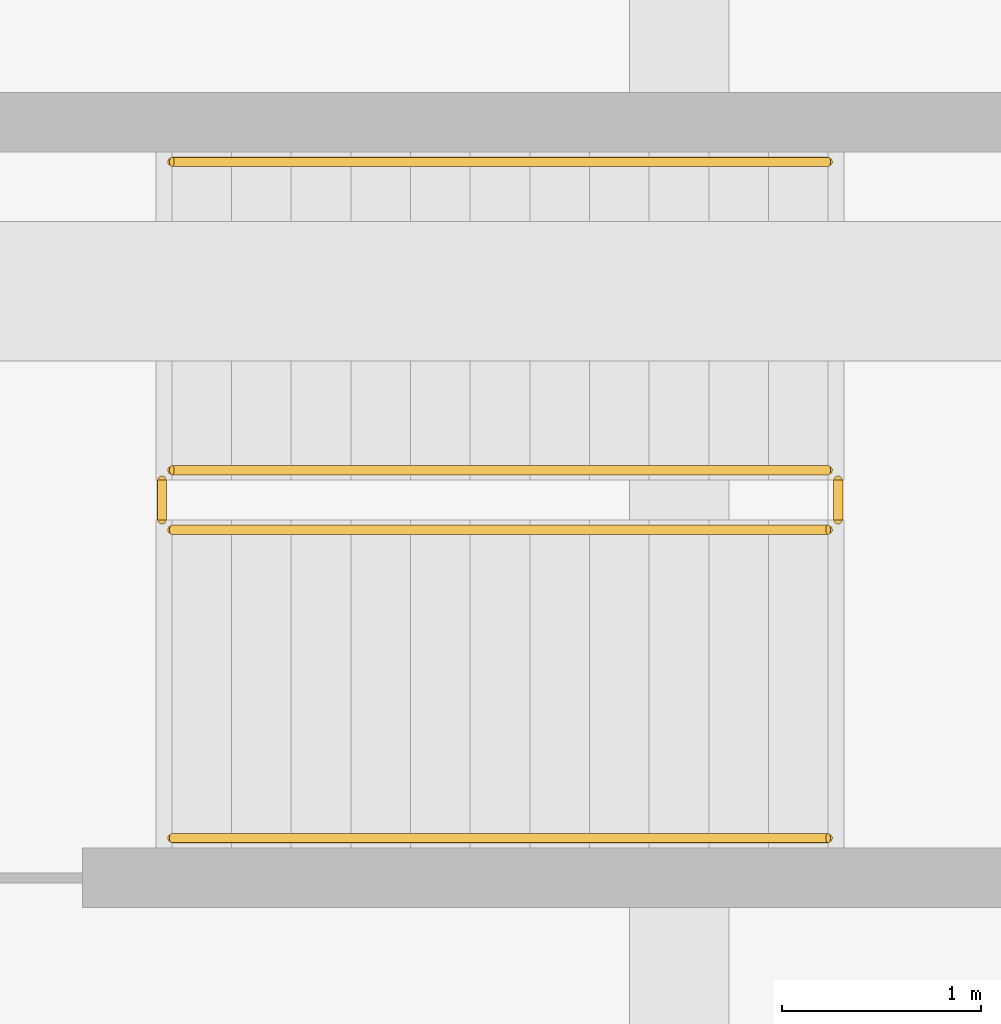
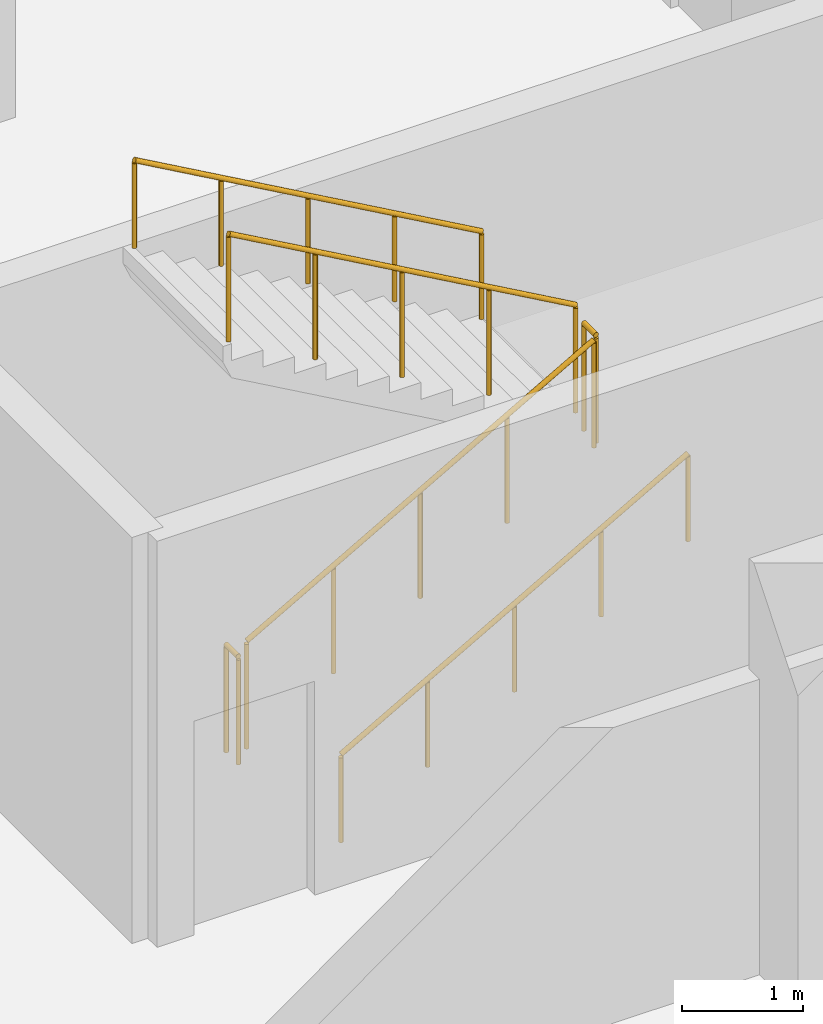
# One storey, part 10 of 11: 6 railings.
"""IFC4 building model written with IfcOpenShell, lengths in metres."""

import ifcopenshell
import ifcopenshell.guid

model = None  # the IFC model being written
_history = None  # IfcOwnerHistory: only IFC2X3 demands one
_inside = {}  # id of a spatial element -> (the spatial element, [elements in it])
_under = {}  # id of a project, library or spatial element -> (it, [spatial elements below it])
_declared = {}  # id of a project -> (the project, [libraries it declares])
_typed = {}  # id of a type object -> (the type object, [elements of that type])
_made_of = {}  # id of a material, layer set ... -> (it, [elements and type objects made of it])


def new_model(schema):
    """Start an empty IFC model of exactly this schema.

    Asked for "IFC4X3", IfcOpenShell would pick the latest addendum, in which some entities
    have other attributes; the version numbers below select the first issue.
    IFC2X3 requires an IfcOwnerHistory on every rooted entity: one is made here for all.
    """
    global model, _history
    if schema == "IFC4X3":
        model = ifcopenshell.file(schema_version=(4, 3, 0, 0))
    else:
        model = ifcopenshell.file(schema=schema)
    _inside.clear()
    _under.clear()
    _declared.clear()
    _typed.clear()
    _made_of.clear()
    _history = None
    if model.schema == "IFC2X3":
        org = make("IfcOrganization", Name="unknown")
        user = make(
            "IfcPersonAndOrganization",
            ThePerson=make("IfcPerson", FamilyName="unknown"),
            TheOrganization=org,
        )
        app = make(
            "IfcApplication",
            ApplicationDeveloper=org,
            Version="unknown",
            ApplicationFullName="unknown",
            ApplicationIdentifier="unknown",
        )
        _history = make(
            "IfcOwnerHistory",
            OwningUser=user,
            OwningApplication=app,
            ChangeAction="ADDED",
            CreationDate=0,
        )
    return model


def make(cls, **values):
    """One entity of the class cls with the attributes given. An attribute that is None is left unset."""
    return model.create_entity(
        cls, **{name: value for name, value in values.items() if value is not None}
    )


def rooted(cls, **values):
    """An entity with a GlobalId (a new one), such as an element, a storey or a relation."""
    return make(cls, GlobalId=ifcopenshell.guid.new(), OwnerHistory=_history, **values)


def si_unit(unit_type, name, prefix=None):
    """IfcSIUnit, for example si_unit("LENGTHUNIT", "METRE", prefix="MILLI")."""
    return make("IfcSIUnit", UnitType=unit_type, Prefix=prefix, Name=name)


def assignment(units):
    """IfcUnitAssignment: the units of a project."""
    return None if units is None else make("IfcUnitAssignment", Units=units)


def point(xyz):
    """IfcCartesianPoint."""
    return None if xyz is None else make("IfcCartesianPoint", Coordinates=xyz)


def direction(xyz):
    """IfcDirection."""
    return None if xyz is None else make("IfcDirection", DirectionRatios=xyz)


def frame(location, z_axis=None, x_axis=None):
    """IfcAxis2Placement3D, a coordinate frame: its origin and axes. An axis left out is left unset."""
    return make(
        "IfcAxis2Placement3D",
        Location=point(location),
        Axis=direction(z_axis),
        RefDirection=direction(x_axis),
    )


def frame_2d(location, x_axis=None):
    """IfcAxis2Placement2D, a coordinate frame in the plane: its origin and x axis."""
    return make(
        "IfcAxis2Placement2D", Location=point(location), RefDirection=direction(x_axis)
    )


def origin():
    """The frame at (0, 0, 0) with its axes left unset."""
    return frame((0.0, 0.0, 0.0))


def origin_2d():
    """The frame at (0, 0) in the plane with its x axis left unset."""
    return frame_2d((0.0, 0.0))


def place(relative_to, where):
    """IfcLocalPlacement: puts the frame where relative to a parent placement (None: the world)."""
    return make(
        "IfcLocalPlacement", PlacementRelTo=relative_to, RelativePlacement=where
    )


def context(
    kind, dimensions, precision=None, world=None, true_north=None, identifier=None
):
    """IfcGeometricRepresentationContext, for example the 3D "Model" context."""
    return make(
        "IfcGeometricRepresentationContext",
        ContextIdentifier=identifier,
        ContextType=kind,
        CoordinateSpaceDimension=dimensions,
        Precision=precision,
        WorldCoordinateSystem=world,
        TrueNorth=true_north,
    )


def subcontext(parent, identifier, kind, view, scale=None):
    """IfcGeometricRepresentationSubContext, for example "Body" below "Model"."""
    return make(
        "IfcGeometricRepresentationSubContext",
        ContextIdentifier=identifier,
        ContextType=kind,
        ParentContext=parent,
        TargetScale=scale,
        TargetView=view,
    )


def project(units=None, contexts=None):
    """IfcProject with its units and contexts."""
    return rooted(
        "IfcProject",
        Name="project",
        RepresentationContexts=contexts,
        UnitsInContext=assignment(units),
    )


def spatial(cls, under=None, at=None, **own):
    """A site, building, storey or space (cls), placed at a placement, below another one or the project."""
    s = rooted(cls, ObjectPlacement=at, **own)
    if under is not None:
        _under.setdefault(under.id(), (under, []))[1].append(s)
    return s


def profile(cls, at=None, kind="AREA", **sizes):
    """A parametric profile (cls). Its sizes go by their IFC names, for example OverallWidth=200.0."""
    return make(cls, ProfileType=kind, Position=at, **sizes)


def circle(**sizes):
    """IfcCircleProfileDef."""
    return profile("IfcCircleProfileDef", **sizes)


def extrude(swept, where, along, depth):
    """IfcExtrudedAreaSolid: the profile swept, set in the frame where, extruded along a direction by depth."""
    return make(
        "IfcExtrudedAreaSolid",
        SweptArea=swept,
        Position=where,
        ExtrudedDirection=direction(along),
        Depth=depth,
    )


def shape(context_of_items, identifier, shape_type, items):
    """IfcShapeRepresentation: the items that make up one representation, for example the "Body"."""
    return make(
        "IfcShapeRepresentation",
        ContextOfItems=context_of_items,
        RepresentationIdentifier=identifier,
        RepresentationType=shape_type,
        Items=items,
    )


def material(Name=None, Category=None):
    """IfcMaterial."""
    return make("IfcMaterial", Name=Name, Category=Category)


def made_of(thing, what):
    """Note that an element or type object is made of a material, layer set ...; save() writes the relation."""
    if what is not None:
        _made_of.setdefault(what.id(), (what, []))[1].append(thing)
    return thing


def type_object(cls, material=None, **own):
    """A type object (cls), such as IfcWallType, which elements share."""
    return made_of(rooted(cls, **own), material)


def element(
    cls,
    number,
    at=None,
    inside=None,
    cuts=None,
    type_object=None,
    material=None,
    context=None,
    identifier="Body",
    shape_type=None,
    held_by="IfcProductDefinitionShape",
    body=None,
    shapes=None,
    **own,
):
    """One element of the class cls, such as IfcWall. Its Tag is "e" and its number.

    at: its placement. inside: the storey or other place that contains it. cuts: it is an
    opening in that element (IfcRelVoidsElement). A single representation is given by context,
    identifier, shape_type and body (its items); several are given by shapes. held_by: the class
    of the entity that holds the representations. save() writes the other relations.
    """
    e = rooted(cls, Tag="e%d" % number, ObjectPlacement=at, **own)
    if body is not None:
        shapes = [shape(context, identifier, shape_type, body)]
    if shapes is not None:
        e.Representation = make(held_by, Representations=shapes)
    if inside is not None:
        _inside.setdefault(inside.id(), (inside, []))[1].append(e)
    if cuts is not None:
        rooted(
            "IfcRelVoidsElement", RelatingBuildingElement=cuts, RelatedOpeningElement=e
        )
    if type_object is not None:
        _typed.setdefault(type_object.id(), (type_object, []))[1].append(e)
    return made_of(e, material)


def aggregate(whole, parts):
    """IfcRelAggregates: a whole, such as a stair, and the parts it consists of."""
    return rooted("IfcRelAggregates", RelatingObject=whole, RelatedObjects=parts)


def save(model, path):
    """Write the relations noted so far, then the file.

    IfcRelAggregates (storeys below a building ...), IfcRelContainedInSpatialStructure (elements
    in a storey), IfcRelDefinesByType, IfcRelAssociatesMaterial and IfcRelDeclares: one each for
    every whole, place, type object, material and project.
    """
    for whole, parts in _under.values():
        aggregate(whole, parts)
    for where, things in _inside.values():
        rooted(
            "IfcRelContainedInSpatialStructure",
            RelatedElements=things,
            RelatingStructure=where,
        )
    for kind, things in _typed.values():
        rooted("IfcRelDefinesByType", RelatedObjects=things, RelatingType=kind)
    for what, things in _made_of.values():
        rooted("IfcRelAssociatesMaterial", RelatedObjects=things, RelatingMaterial=what)
    for by, libraries in _declared.values():
        rooted("IfcRelDeclares", RelatingContext=by, RelatedDefinitions=libraries)
    model.write(path)


model = new_model("IFC4")

# Units and contexts
model_context = context("Model", 3, precision=1e-05, world=origin(), true_north=direction((0.0, 1.0)))
body_context = subcontext(model_context, "Body", "Model", "MODEL_VIEW")
ifc_project = project(units=[si_unit("LENGTHUNIT", "METRE"), si_unit("AREAUNIT", "SQUARE_METRE"), si_unit("VOLUMEUNIT", "CUBIC_METRE"), si_unit("PLANEANGLEUNIT", "RADIAN"), si_unit("MASSUNIT", "GRAM", prefix="KILO")], contexts=[model_context])

# Site, building, storey
site_placement = place(None, origin())
site = spatial("IfcSite", under=ifc_project, at=site_placement, CompositionType="ELEMENT")
building_placement = place(site_placement, origin())
building = spatial("IfcBuilding", under=site, at=building_placement, Name="Dunvalen Ferry Terminal", CompositionType="ELEMENT")
storey_placement = place(building_placement, frame((0.0, 0.0, -4.080078125)))
storey = spatial("IfcBuildingStorey", under=building, at=storey_placement, Name="B1", CompositionType="ELEMENT", Elevation=-4.080078125)

# Railings
ifc_material_1 = material(Name="Painted galvanised steel S275", Category="steel")
railing_type_1 = type_object("IfcRailingType", Name="INT-RL-STGRD", PredefinedType="GUARDRAIL", material=ifc_material_1)
railing_1_placement = place(storey_placement, frame((63.449951171875, 19.35009765625, 0.170166015625)))
element("IfcRailing", 1, at=railing_1_placement, inside=storey, type_object=railing_type_1, Name="B1 ST3 stair guard 1", PredefinedType="GUARDRAIL", context=body_context, shape_type="SweptSolid", body=[
    extrude(circle(Radius=0.02392578125, at=origin_2d()), frame((0.0, 0.0, 1.076171875), z_axis=(0.870039670856, 0.0, 0.49298171481), x_axis=(0.0, 1.0, 0.0)), (0.0, 0.0, 1.0), 3.79296875),
    extrude(circle(Radius=0.02099609375, at=origin_2d()), origin(), (0.0, 0.0, 1.0), 1.052001953125),
    extrude(circle(Radius=0.02099609375, at=origin_2d()), frame((0.824951171875, 0.0, 0.467529296875)), (0.0, 0.0, 1.0), 1.052001953125),
    extrude(circle(Radius=0.02099609375, at=origin_2d()), frame((1.64990234375, 0.0, 0.93505859375)), (0.0, 0.0, 1.0), 1.052001953125),
    extrude(circle(Radius=0.02099609375, at=origin_2d()), frame((2.47509765625, 0.0, 1.40234375)), (0.0, 0.0, 1.0), 1.052001953125),
    extrude(circle(Radius=0.02099609375, at=origin_2d()), frame((3.300048828125, 0.0, 1.869873046875)), (0.0, 0.0, 1.0), 1.052001953125),
])
railing_2_placement = place(storey_placement, frame((66.800048828125, 19.39990234375, 2.0400390625)))
element("IfcRailing", 2, at=railing_2_placement, inside=storey, type_object=railing_type_1, Name="B1 ST3 stair guard 2", PredefinedType="GUARDRAIL", context=body_context, shape_type="SweptSolid", body=[
    extrude(circle(Radius=0.02392578125, at=origin_2d()), frame((0.0, 0.0, 1.076171875), z_axis=(0.0, 1.0, 0.0), x_axis=(-1.0, 0.0, 0.0)), (0.0, 0.0, 1.0), 0.2001953125),
    extrude(circle(Radius=0.02099609375, at=origin_2d()), origin(), (0.0, 0.0, 1.0), 1.052001953125),
    extrude(circle(Radius=0.02099609375, at=origin_2d()), frame((0.0, 0.2001953125, 0.0)), (0.0, 0.0, 1.0), 1.052001953125),
])
railing_3_placement = place(storey_placement, frame((66.75, 19.64990234375, 2.2099609375)))
element("IfcRailing", 3, at=railing_3_placement, inside=storey, type_object=railing_type_1, Name="B1 ST3 stair guard 3", PredefinedType="GUARDRAIL", context=body_context, shape_type="SweptSolid", body=[
    extrude(circle(Radius=0.02392578125, at=origin_2d()), frame((0.0, 0.0, 1.076171875), z_axis=(-0.870012062771, 0.0, 0.493030435808), x_axis=(0.0, -1.0, 0.0)), (0.0, 0.0, 1.0), 3.793212890625),
    extrude(circle(Radius=0.02099609375, at=origin_2d()), origin(), (0.0, 0.0, 1.0), 1.052001953125),
    extrude(circle(Radius=0.02099609375, at=origin_2d()), frame((-0.824951171875, 0.0, 0.467529296875)), (0.0, 0.0, 1.0), 1.052001953125),
    extrude(circle(Radius=0.02099609375, at=origin_2d()), frame((-1.64990234375, 0.0, 0.93505859375)), (0.0, 0.0, 1.0), 1.052001953125),
    extrude(circle(Radius=0.02099609375, at=origin_2d()), frame((-2.47509765625, 0.0, 1.402587890625)), (0.0, 0.0, 1.0), 1.052001953125),
    extrude(circle(Radius=0.02099609375, at=origin_2d()), frame((-3.300048828125, 0.0, 1.8701171875)), (0.0, 0.0, 1.0), 1.052001953125),
])
railing_4_placement = place(storey_placement, frame((63.39990234375, 19.39990234375, 0.0)))
element("IfcRailing", 4, at=railing_4_placement, inside=storey, type_object=railing_type_1, Name="B1 ST3 stair guard 4", PredefinedType="GUARDRAIL", context=body_context, shape_type="SweptSolid", body=[
    extrude(circle(Radius=0.02392578125, at=origin_2d()), frame((0.0, 0.0, 1.076171875), z_axis=(0.0, 1.0, 0.0), x_axis=(-1.0, 0.0, 0.0)), (0.0, 0.0, 1.0), 0.2001953125),
    extrude(circle(Radius=0.02099609375, at=origin_2d()), origin(), (0.0, 0.0, 1.0), 1.052001953125),
    extrude(circle(Radius=0.02099609375, at=origin_2d()), frame((0.0, 0.2001953125, 0.0)), (0.0, 0.0, 1.0), 1.052001953125),
])
ifc_material_2 = material(Name="Brushed 316 stainless steel", Category="steel")
railing_type_2 = type_object("IfcRailingType", Name="INT-RL-STHND", PredefinedType="HANDRAIL", material=ifc_material_2)
railing_5_placement = place(storey_placement, frame((63.449951171875, 17.800048828125, 0.170166015625)))
element("IfcRailing", 5, at=railing_5_placement, inside=storey, type_object=railing_type_2, Name="B1 ST3 stair handrail 1", PredefinedType="HANDRAIL", context=body_context, shape_type="SweptSolid", body=[
    extrude(circle(Radius=0.02392578125, at=origin_2d()), frame((0.0, 0.0, 0.8759765625), z_axis=(0.870039670856, 0.0, 0.49298171481), x_axis=(0.0, 1.0, 0.0)), (0.0, 0.0, 1.0), 3.79296875),
    extrude(circle(Radius=0.02099609375, at=origin_2d()), origin(), (0.0, 0.0, 1.0), 0.851806640625),
    extrude(circle(Radius=0.02099609375, at=origin_2d()), frame((0.824951171875, 0.0, 0.467529296875)), (0.0, 0.0, 1.0), 0.851806640625),
    extrude(circle(Radius=0.02099609375, at=origin_2d()), frame((1.64990234375, 0.0, 0.93505859375)), (0.0, 0.0, 1.0), 0.851806640625),
    extrude(circle(Radius=0.02099609375, at=origin_2d()), frame((2.47509765625, 0.0, 1.40234375)), (0.0, 0.0, 1.0), 0.851806640625),
    extrude(circle(Radius=0.02099609375, at=origin_2d()), frame((3.300048828125, 0.0, 1.869873046875)), (0.0, 0.0, 1.0), 0.851806640625),
])
railing_6_placement = place(storey_placement, frame((66.75, 21.199951171875, 2.2099609375)))
element("IfcRailing", 6, at=railing_6_placement, inside=storey, type_object=railing_type_2, Name="B1 ST3 stair handrail 2", PredefinedType="HANDRAIL", context=body_context, shape_type="SweptSolid", body=[
    extrude(circle(Radius=0.02392578125, at=origin_2d()), frame((0.0, 0.0, 0.8759765625), z_axis=(-0.870012062771, 0.0, 0.493030435808), x_axis=(0.0, -1.0, 0.0)), (0.0, 0.0, 1.0), 3.793212890625),
    extrude(circle(Radius=0.02099609375, at=origin_2d()), origin(), (0.0, 0.0, 1.0), 0.851806640625),
    extrude(circle(Radius=0.02099609375, at=origin_2d()), frame((-0.824951171875, 0.0, 0.467529296875)), (0.0, 0.0, 1.0), 0.851806640625),
    extrude(circle(Radius=0.02099609375, at=origin_2d()), frame((-1.64990234375, 0.0, 0.93505859375)), (0.0, 0.0, 1.0), 0.851806640625),
    extrude(circle(Radius=0.02099609375, at=origin_2d()), frame((-2.47509765625, 0.0, 1.402587890625)), (0.0, 0.0, 1.0), 0.851806640625),
    extrude(circle(Radius=0.02099609375, at=origin_2d()), frame((-3.300048828125, 0.0, 1.8701171875)), (0.0, 0.0, 1.0), 0.851806640625),
])

save(model, "model.ifc")
